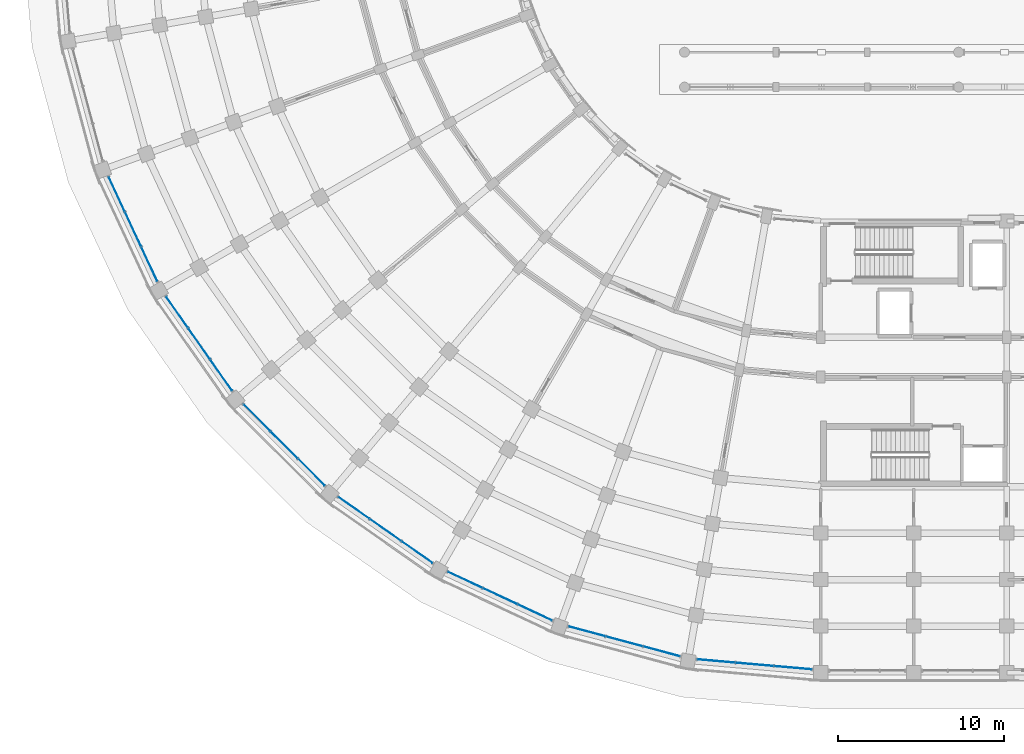
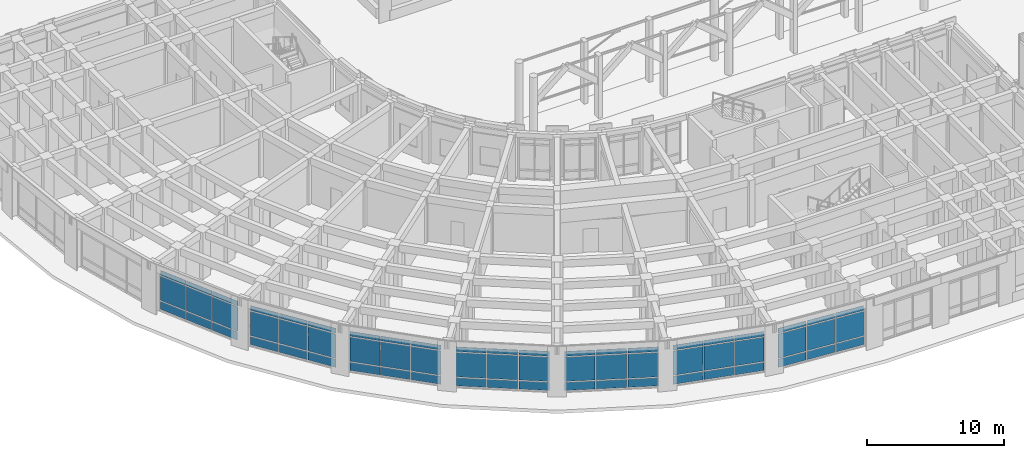
# One storey, part 57 of 135: 63 plates, 7 elements without a shape of their own.
"""IFC4 building model written with IfcOpenShell, lengths in metres."""

from ifc_helpers import new_model, si_unit, direction, frame, origin, origin_2d, place, context, subcontext, project, spatial, rectangle, extrude, material, layer, layer_set, type_object, element, aggregate, save


model = new_model("IFC4")

# Units and contexts
model_context = context("Model", 3, precision=1e-05, world=origin(), true_north=direction((0.0, 1.0)))
body_context = subcontext(model_context, "Body", "Model", "MODEL_VIEW")
ifc_project = project(units=[si_unit("LENGTHUNIT", "METRE"), si_unit("AREAUNIT", "SQUARE_METRE"), si_unit("VOLUMEUNIT", "CUBIC_METRE"), si_unit("PLANEANGLEUNIT", "RADIAN"), si_unit("MASSUNIT", "GRAM", prefix="KILO")], contexts=[model_context])

# Site, building, storey
site_placement = place(None, origin())
site = spatial("IfcSite", under=ifc_project, at=site_placement, CompositionType="ELEMENT")
building_placement = place(site_placement, origin())
building = spatial("IfcBuilding", under=site, at=building_placement, Name="Kiranvali Square Residences", CompositionType="ELEMENT")
storey_placement = place(building_placement, origin())
storey = spatial("IfcBuildingStorey", under=building, at=storey_placement, Name="L00", CompositionType="ELEMENT", Elevation=0.0)

# Curtain wall, plates
ifc_material_1 = material(Name="Anodised bronze aluminium framing", Category="aluminium")
curtain_wall_type = type_object("IfcCurtainWallType", Name="CW-RET-SHOP", PredefinedType="USERDEFINED", material=ifc_material_1)
curtain_wall_1_placement = place(storey_placement, origin())
curtain_wall_1 = element("IfcCurtainWall", 1, at=curtain_wall_1_placement, inside=storey, type_object=curtain_wall_type, Name="Block C L00 rounded-corner arcade curtain wall 1", ObjectType="CURTAIN WALL", PredefinedType="USERDEFINED")
ifc_material_2 = material(Name="Solar-control low-e double glazing", Category="glass")
ifc_layer_1 = layer(ifc_material_2, 0.028076171875)
ifc_layer_set_1 = layer_set([ifc_layer_1], Name="Solar-control low-e double glazing")
plate_type_1 = type_object("IfcPlateType", Name="PLT-CW-GLZ", PredefinedType="CURTAIN_PANEL", material=ifc_layer_set_1)
plate_1_placement = place(storey_placement, frame((46.52978515625, 2.49658203125, 0.89013671875), z_axis=(0.0, 0.0, 1.0), x_axis=(-0.996194698092, 0.087155742748, 0.0)))
plate_1 = element("IfcPlate", 2, at=plate_1_placement, type_object=plate_type_1, Name="CW-C-L00-CRV-00 glazed panel 1.2", PredefinedType="CURTAIN_PANEL", context=body_context, shape_type="SweptSolid", body=[
    extrude(rectangle(XDim=2.239501953125, YDim=0.028076171875, at=origin_2d()), origin(), (0.0, 0.0, 1.0), 2.169921875),
])
plate_2_placement = place(storey_placement, frame((46.52978515625, 2.49658203125, 3.14013671875), z_axis=(0.0, 0.0, 1.0), x_axis=(-0.996194698092, 0.087155742748, 0.0)))
plate_2 = element("IfcPlate", 3, at=plate_2_placement, type_object=plate_type_1, Name="CW-C-L00-CRV-00 glazed panel 1.3", PredefinedType="CURTAIN_PANEL", context=body_context, shape_type="SweptSolid", body=[
    extrude(rectangle(XDim=2.239501953125, YDim=0.028076171875, at=origin_2d()), origin(), (0.0, 0.0, 1.0), 0.429931640625),
])
plate_3_placement = place(storey_placement, frame((44.21923828125, 2.69873046875, 0.89013671875), z_axis=(0.0, 0.0, 1.0), x_axis=(-0.996194698092, 0.087155742748, 0.0)))
plate_3 = element("IfcPlate", 4, at=plate_3_placement, type_object=plate_type_1, Name="CW-C-L00-CRV-00 glazed panel 2.2", PredefinedType="CURTAIN_PANEL", context=body_context, shape_type="SweptSolid", body=[
    extrude(rectangle(XDim=2.239501953125, YDim=0.028076171875, at=origin_2d()), origin(), (0.0, 0.0, 1.0), 2.169921875),
])
plate_4_placement = place(storey_placement, frame((44.21923828125, 2.69873046875, 3.14013671875), z_axis=(0.0, 0.0, 1.0), x_axis=(-0.996194698092, 0.087155742748, 0.0)))
plate_4 = element("IfcPlate", 5, at=plate_4_placement, type_object=plate_type_1, Name="CW-C-L00-CRV-00 glazed panel 2.3", PredefinedType="CURTAIN_PANEL", context=body_context, shape_type="SweptSolid", body=[
    extrude(rectangle(XDim=2.239501953125, YDim=0.028076171875, at=origin_2d()), origin(), (0.0, 0.0, 1.0), 0.429931640625),
])
plate_5_placement = place(storey_placement, frame((41.908447265625, 2.90087890625, 0.89013671875), z_axis=(0.0, 0.0, 1.0), x_axis=(-0.996194698092, 0.087155742748, 0.0)))
plate_5 = element("IfcPlate", 6, at=plate_5_placement, type_object=plate_type_1, Name="CW-C-L00-CRV-00 glazed panel 3.2", PredefinedType="CURTAIN_PANEL", context=body_context, shape_type="SweptSolid", body=[
    extrude(rectangle(XDim=2.239501953125, YDim=0.028076171875, at=origin_2d()), origin(), (0.0, 0.0, 1.0), 2.169921875),
])
plate_6_placement = place(storey_placement, frame((41.908447265625, 2.90087890625, 3.14013671875), z_axis=(0.0, 0.0, 1.0), x_axis=(-0.996194698092, 0.087155742748, 0.0)))
plate_6 = element("IfcPlate", 7, at=plate_6_placement, type_object=plate_type_1, Name="CW-C-L00-CRV-00 glazed panel 3.3", PredefinedType="CURTAIN_PANEL", context=body_context, shape_type="SweptSolid", body=[
    extrude(rectangle(XDim=2.239501953125, YDim=0.028076171875, at=origin_2d()), origin(), (0.0, 0.0, 1.0), 0.429931640625),
])

curtain_wall_2_placement = place(storey_placement, origin())
curtain_wall_2 = element("IfcCurtainWall", 8, at=curtain_wall_2_placement, inside=storey, type_object=curtain_wall_type, Name="Block C L00 rounded-corner arcade curtain wall 2", ObjectType="CURTAIN WALL", PredefinedType="USERDEFINED")
plate_7_placement = place(storey_placement, frame((38.618896484375, 3.48095703125, 0.89013671875), z_axis=(0.0, 0.0, 1.0), x_axis=(-0.965925826289, 0.258819045103, 0.0)))
plate_7 = element("IfcPlate", 9, at=plate_7_placement, type_object=plate_type_1, Name="CW-C-L00-CRV-01 glazed panel 1.2", PredefinedType="CURTAIN_PANEL", context=body_context, shape_type="SweptSolid", body=[
    extrude(rectangle(XDim=2.239501953125, YDim=0.028076171875, at=origin_2d()), origin(), (0.0, 0.0, 1.0), 2.169921875),
])
plate_8_placement = place(storey_placement, frame((38.618896484375, 3.48095703125, 3.14013671875), z_axis=(0.0, 0.0, 1.0), x_axis=(-0.965925826289, 0.258819045103, 0.0)))
plate_8 = element("IfcPlate", 10, at=plate_8_placement, type_object=plate_type_1, Name="CW-C-L00-CRV-01 glazed panel 1.3", PredefinedType="CURTAIN_PANEL", context=body_context, shape_type="SweptSolid", body=[
    extrude(rectangle(XDim=2.239501953125, YDim=0.028076171875, at=origin_2d()), origin(), (0.0, 0.0, 1.0), 0.429931640625),
])
plate_9_placement = place(storey_placement, frame((36.37841796875, 4.081298828125, 0.89013671875), z_axis=(0.0, 0.0, 1.0), x_axis=(-0.965925826289, 0.258819045103, 0.0)))
plate_9 = element("IfcPlate", 11, at=plate_9_placement, type_object=plate_type_1, Name="CW-C-L00-CRV-01 glazed panel 2.2", PredefinedType="CURTAIN_PANEL", context=body_context, shape_type="SweptSolid", body=[
    extrude(rectangle(XDim=2.239501953125, YDim=0.028076171875, at=origin_2d()), origin(), (0.0, 0.0, 1.0), 2.169921875),
])
plate_10_placement = place(storey_placement, frame((36.37841796875, 4.081298828125, 3.14013671875), z_axis=(0.0, 0.0, 1.0), x_axis=(-0.965925826289, 0.258819045103, 0.0)))
plate_10 = element("IfcPlate", 12, at=plate_10_placement, type_object=plate_type_1, Name="CW-C-L00-CRV-01 glazed panel 2.3", PredefinedType="CURTAIN_PANEL", context=body_context, shape_type="SweptSolid", body=[
    extrude(rectangle(XDim=2.239501953125, YDim=0.028076171875, at=origin_2d()), origin(), (0.0, 0.0, 1.0), 0.429931640625),
])
plate_11_placement = place(storey_placement, frame((34.137939453125, 4.681640625, 0.89013671875), z_axis=(0.0, 0.0, 1.0), x_axis=(-0.965925826289, 0.258819045103, 0.0)))
plate_11 = element("IfcPlate", 13, at=plate_11_placement, type_object=plate_type_1, Name="CW-C-L00-CRV-01 glazed panel 3.2", PredefinedType="CURTAIN_PANEL", context=body_context, shape_type="SweptSolid", body=[
    extrude(rectangle(XDim=2.239501953125, YDim=0.028076171875, at=origin_2d()), origin(), (0.0, 0.0, 1.0), 2.169921875),
])
plate_12_placement = place(storey_placement, frame((34.137939453125, 4.681640625, 3.14013671875), z_axis=(0.0, 0.0, 1.0), x_axis=(-0.965925826289, 0.258819045103, 0.0)))
plate_12 = element("IfcPlate", 14, at=plate_12_placement, type_object=plate_type_1, Name="CW-C-L00-CRV-01 glazed panel 3.3", PredefinedType="CURTAIN_PANEL", context=body_context, shape_type="SweptSolid", body=[
    extrude(rectangle(XDim=2.239501953125, YDim=0.028076171875, at=origin_2d()), origin(), (0.0, 0.0, 1.0), 0.429931640625),
])

curtain_wall_3_placement = place(storey_placement, origin())
curtain_wall_3 = element("IfcCurtainWall", 15, at=curtain_wall_3_placement, inside=storey, type_object=curtain_wall_type, Name="Block C L00 rounded-corner arcade curtain wall 3", ObjectType="CURTAIN WALL", PredefinedType="USERDEFINED")
plate_13_placement = place(storey_placement, frame((30.9990234375, 5.82421875, 0.89013671875), z_axis=(0.0, 0.0, 1.0), x_axis=(-0.906307787037, 0.422618261741, 0.0)))
plate_13 = element("IfcPlate", 16, at=plate_13_placement, type_object=plate_type_1, Name="CW-C-L00-CRV-02 glazed panel 1.2", PredefinedType="CURTAIN_PANEL", context=body_context, shape_type="SweptSolid", body=[
    extrude(rectangle(XDim=2.239501953125, YDim=0.028076171875, at=origin_2d()), origin(), (0.0, 0.0, 1.0), 2.169921875),
])
plate_14_placement = place(storey_placement, frame((30.9990234375, 5.82421875, 3.14013671875), z_axis=(0.0, 0.0, 1.0), x_axis=(-0.906307787037, 0.422618261741, 0.0)))
plate_14 = element("IfcPlate", 17, at=plate_14_placement, type_object=plate_type_1, Name="CW-C-L00-CRV-02 glazed panel 1.3", PredefinedType="CURTAIN_PANEL", context=body_context, shape_type="SweptSolid", body=[
    extrude(rectangle(XDim=2.239501953125, YDim=0.028076171875, at=origin_2d()), origin(), (0.0, 0.0, 1.0), 0.429931640625),
])
plate_15_placement = place(storey_placement, frame((28.89697265625, 6.804443359375, 0.89013671875), z_axis=(0.0, 0.0, 1.0), x_axis=(-0.906307787037, 0.422618261741, 0.0)))
plate_15 = element("IfcPlate", 18, at=plate_15_placement, type_object=plate_type_1, Name="CW-C-L00-CRV-02 glazed panel 2.2", PredefinedType="CURTAIN_PANEL", context=body_context, shape_type="SweptSolid", body=[
    extrude(rectangle(XDim=2.239501953125, YDim=0.028076171875, at=origin_2d()), origin(), (0.0, 0.0, 1.0), 2.169921875),
])
plate_16_placement = place(storey_placement, frame((28.89697265625, 6.804443359375, 3.14013671875), z_axis=(0.0, 0.0, 1.0), x_axis=(-0.906307787037, 0.422618261741, 0.0)))
plate_16 = element("IfcPlate", 19, at=plate_16_placement, type_object=plate_type_1, Name="CW-C-L00-CRV-02 glazed panel 2.3", PredefinedType="CURTAIN_PANEL", context=body_context, shape_type="SweptSolid", body=[
    extrude(rectangle(XDim=2.239501953125, YDim=0.028076171875, at=origin_2d()), origin(), (0.0, 0.0, 1.0), 0.429931640625),
])
plate_17_placement = place(storey_placement, frame((26.794921875, 7.78466796875, 0.89013671875), z_axis=(0.0, 0.0, 1.0), x_axis=(-0.906307787037, 0.422618261741, 0.0)))
plate_17 = element("IfcPlate", 20, at=plate_17_placement, type_object=plate_type_1, Name="CW-C-L00-CRV-02 glazed panel 3.2", PredefinedType="CURTAIN_PANEL", context=body_context, shape_type="SweptSolid", body=[
    extrude(rectangle(XDim=2.239501953125, YDim=0.028076171875, at=origin_2d()), origin(), (0.0, 0.0, 1.0), 2.169921875),
])
plate_18_placement = place(storey_placement, frame((26.794921875, 7.78466796875, 3.14013671875), z_axis=(0.0, 0.0, 1.0), x_axis=(-0.906307787037, 0.422618261741, 0.0)))
plate_18 = element("IfcPlate", 21, at=plate_18_placement, type_object=plate_type_1, Name="CW-C-L00-CRV-02 glazed panel 3.3", PredefinedType="CURTAIN_PANEL", context=body_context, shape_type="SweptSolid", body=[
    extrude(rectangle(XDim=2.239501953125, YDim=0.028076171875, at=origin_2d()), origin(), (0.0, 0.0, 1.0), 0.429931640625),
])

curtain_wall_4_placement = place(storey_placement, origin())
curtain_wall_4 = element("IfcCurtainWall", 22, at=curtain_wall_4_placement, inside=storey, type_object=curtain_wall_type, Name="Block C L00 rounded-corner arcade curtain wall 4", ObjectType="CURTAIN WALL", PredefinedType="USERDEFINED")
plate_19_placement = place(storey_placement, frame((23.90185546875, 9.454833984375, 0.89013671875), z_axis=(0.0, 0.0, 1.0), x_axis=(-0.819152044289, 0.573576436351, 0.0)))
plate_19 = element("IfcPlate", 23, at=plate_19_placement, type_object=plate_type_1, Name="CW-C-L00-CRV-03 glazed panel 1.2", PredefinedType="CURTAIN_PANEL", context=body_context, shape_type="SweptSolid", body=[
    extrude(rectangle(XDim=2.239501953125, YDim=0.028076171875, at=origin_2d()), origin(), (0.0, 0.0, 1.0), 2.169921875),
])
plate_20_placement = place(storey_placement, frame((23.90185546875, 9.454833984375, 3.14013671875), z_axis=(0.0, 0.0, 1.0), x_axis=(-0.819152044289, 0.573576436351, 0.0)))
plate_20 = element("IfcPlate", 24, at=plate_20_placement, type_object=plate_type_1, Name="CW-C-L00-CRV-03 glazed panel 1.3", PredefinedType="CURTAIN_PANEL", context=body_context, shape_type="SweptSolid", body=[
    extrude(rectangle(XDim=2.239501953125, YDim=0.028076171875, at=origin_2d()), origin(), (0.0, 0.0, 1.0), 0.429931640625),
])
plate_21_placement = place(storey_placement, frame((22.001953125, 10.78515625, 0.89013671875), z_axis=(0.0, 0.0, 1.0), x_axis=(-0.819152044289, 0.573576436351, 0.0)))
plate_21 = element("IfcPlate", 25, at=plate_21_placement, type_object=plate_type_1, Name="CW-C-L00-CRV-03 glazed panel 2.2", PredefinedType="CURTAIN_PANEL", context=body_context, shape_type="SweptSolid", body=[
    extrude(rectangle(XDim=2.239501953125, YDim=0.028076171875, at=origin_2d()), origin(), (0.0, 0.0, 1.0), 2.169921875),
])
plate_22_placement = place(storey_placement, frame((22.001953125, 10.78515625, 3.14013671875), z_axis=(0.0, 0.0, 1.0), x_axis=(-0.819152044289, 0.573576436351, 0.0)))
plate_22 = element("IfcPlate", 26, at=plate_22_placement, type_object=plate_type_1, Name="CW-C-L00-CRV-03 glazed panel 2.3", PredefinedType="CURTAIN_PANEL", context=body_context, shape_type="SweptSolid", body=[
    extrude(rectangle(XDim=2.239501953125, YDim=0.028076171875, at=origin_2d()), origin(), (0.0, 0.0, 1.0), 0.429931640625),
])
plate_23_placement = place(storey_placement, frame((20.10205078125, 12.11572265625, 0.89013671875), z_axis=(0.0, 0.0, 1.0), x_axis=(-0.819152044289, 0.573576436351, 0.0)))
plate_23 = element("IfcPlate", 27, at=plate_23_placement, type_object=plate_type_1, Name="CW-C-L00-CRV-03 glazed panel 3.2", PredefinedType="CURTAIN_PANEL", context=body_context, shape_type="SweptSolid", body=[
    extrude(rectangle(XDim=2.239501953125, YDim=0.028076171875, at=origin_2d()), origin(), (0.0, 0.0, 1.0), 2.169921875),
])
plate_24_placement = place(storey_placement, frame((20.10205078125, 12.11572265625, 3.14013671875), z_axis=(0.0, 0.0, 1.0), x_axis=(-0.819152044289, 0.573576436351, 0.0)))
plate_24 = element("IfcPlate", 28, at=plate_24_placement, type_object=plate_type_1, Name="CW-C-L00-CRV-03 glazed panel 3.3", PredefinedType="CURTAIN_PANEL", context=body_context, shape_type="SweptSolid", body=[
    extrude(rectangle(XDim=2.239501953125, YDim=0.028076171875, at=origin_2d()), origin(), (0.0, 0.0, 1.0), 0.429931640625),
])

curtain_wall_5_placement = place(storey_placement, origin())
curtain_wall_5 = element("IfcCurtainWall", 29, at=curtain_wall_5_placement, inside=storey, type_object=curtain_wall_type, Name="Block C L00 rounded-corner arcade curtain wall 5", ObjectType="CURTAIN WALL", PredefinedType="USERDEFINED")
plate_25_placement = place(storey_placement, frame((17.54296875, 14.262939453125, 0.89013671875), z_axis=(0.0, 0.0, 1.0), x_axis=(-0.707106781187, 0.707106781187, 0.0)))
plate_25 = element("IfcPlate", 30, at=plate_25_placement, type_object=plate_type_1, Name="CW-C-L00-CRV-04 glazed panel 1.2", PredefinedType="CURTAIN_PANEL", context=body_context, shape_type="SweptSolid", body=[
    extrude(rectangle(XDim=2.239501953125, YDim=0.028076171875, at=origin_2d()), origin(), (0.0, 0.0, 1.0), 2.169921875),
])
plate_26_placement = place(storey_placement, frame((17.54296875, 14.262939453125, 3.14013671875), z_axis=(0.0, 0.0, 1.0), x_axis=(-0.707106781187, 0.707106781187, 0.0)))
plate_26 = element("IfcPlate", 31, at=plate_26_placement, type_object=plate_type_1, Name="CW-C-L00-CRV-04 glazed panel 1.3", PredefinedType="CURTAIN_PANEL", context=body_context, shape_type="SweptSolid", body=[
    extrude(rectangle(XDim=2.239501953125, YDim=0.028076171875, at=origin_2d()), origin(), (0.0, 0.0, 1.0), 0.429931640625),
])
plate_27_placement = place(storey_placement, frame((15.90283203125, 15.90283203125, 0.89013671875), z_axis=(0.0, 0.0, 1.0), x_axis=(-0.707106781187, 0.707106781187, 0.0)))
plate_27 = element("IfcPlate", 32, at=plate_27_placement, type_object=plate_type_1, Name="CW-C-L00-CRV-04 glazed panel 2.2", PredefinedType="CURTAIN_PANEL", context=body_context, shape_type="SweptSolid", body=[
    extrude(rectangle(XDim=2.239501953125, YDim=0.028076171875, at=origin_2d()), origin(), (0.0, 0.0, 1.0), 2.169921875),
])
plate_28_placement = place(storey_placement, frame((15.90283203125, 15.90283203125, 3.14013671875), z_axis=(0.0, 0.0, 1.0), x_axis=(-0.707106781187, 0.707106781187, 0.0)))
plate_28 = element("IfcPlate", 33, at=plate_28_placement, type_object=plate_type_1, Name="CW-C-L00-CRV-04 glazed panel 2.3", PredefinedType="CURTAIN_PANEL", context=body_context, shape_type="SweptSolid", body=[
    extrude(rectangle(XDim=2.239501953125, YDim=0.028076171875, at=origin_2d()), origin(), (0.0, 0.0, 1.0), 0.429931640625),
])
plate_29_placement = place(storey_placement, frame((14.262939453125, 17.54296875, 0.89013671875), z_axis=(0.0, 0.0, 1.0), x_axis=(-0.707106781187, 0.707106781187, 0.0)))
plate_29 = element("IfcPlate", 34, at=plate_29_placement, type_object=plate_type_1, Name="CW-C-L00-CRV-04 glazed panel 3.2", PredefinedType="CURTAIN_PANEL", context=body_context, shape_type="SweptSolid", body=[
    extrude(rectangle(XDim=2.239501953125, YDim=0.028076171875, at=origin_2d()), origin(), (0.0, 0.0, 1.0), 2.169921875),
])
plate_30_placement = place(storey_placement, frame((14.262939453125, 17.54296875, 3.14013671875), z_axis=(0.0, 0.0, 1.0), x_axis=(-0.707106781187, 0.707106781187, 0.0)))
plate_30 = element("IfcPlate", 35, at=plate_30_placement, type_object=plate_type_1, Name="CW-C-L00-CRV-04 glazed panel 3.3", PredefinedType="CURTAIN_PANEL", context=body_context, shape_type="SweptSolid", body=[
    extrude(rectangle(XDim=2.239501953125, YDim=0.028076171875, at=origin_2d()), origin(), (0.0, 0.0, 1.0), 0.429931640625),
])

curtain_wall_6_placement = place(storey_placement, origin())
curtain_wall_6 = element("IfcCurtainWall", 36, at=curtain_wall_6_placement, inside=storey, type_object=curtain_wall_type, Name="Block C L00 rounded-corner arcade curtain wall 6", ObjectType="CURTAIN WALL", PredefinedType="USERDEFINED")
plate_31_placement = place(storey_placement, frame((12.11572265625, 20.10205078125, 0.89013671875), z_axis=(0.0, 0.0, 1.0), x_axis=(-0.573576436351, 0.819152044289, 0.0)))
plate_31 = element("IfcPlate", 37, at=plate_31_placement, type_object=plate_type_1, Name="CW-C-L00-CRV-05 glazed panel 1.2", PredefinedType="CURTAIN_PANEL", context=body_context, shape_type="SweptSolid", body=[
    extrude(rectangle(XDim=2.239501953125, YDim=0.028076171875, at=origin_2d()), origin(), (0.0, 0.0, 1.0), 2.169921875),
])
plate_32_placement = place(storey_placement, frame((12.11572265625, 20.10205078125, 3.14013671875), z_axis=(0.0, 0.0, 1.0), x_axis=(-0.573576436351, 0.819152044289, 0.0)))
plate_32 = element("IfcPlate", 38, at=plate_32_placement, type_object=plate_type_1, Name="CW-C-L00-CRV-05 glazed panel 1.3", PredefinedType="CURTAIN_PANEL", context=body_context, shape_type="SweptSolid", body=[
    extrude(rectangle(XDim=2.239501953125, YDim=0.028076171875, at=origin_2d()), origin(), (0.0, 0.0, 1.0), 0.429931640625),
])
plate_33_placement = place(storey_placement, frame((10.78515625, 22.001953125, 0.89013671875), z_axis=(0.0, 0.0, 1.0), x_axis=(-0.573576436351, 0.819152044289, 0.0)))
plate_33 = element("IfcPlate", 39, at=plate_33_placement, type_object=plate_type_1, Name="CW-C-L00-CRV-05 glazed panel 2.2", PredefinedType="CURTAIN_PANEL", context=body_context, shape_type="SweptSolid", body=[
    extrude(rectangle(XDim=2.239501953125, YDim=0.028076171875, at=origin_2d()), origin(), (0.0, 0.0, 1.0), 2.169921875),
])
plate_34_placement = place(storey_placement, frame((10.78515625, 22.001953125, 3.14013671875), z_axis=(0.0, 0.0, 1.0), x_axis=(-0.573576436351, 0.819152044289, 0.0)))
plate_34 = element("IfcPlate", 40, at=plate_34_placement, type_object=plate_type_1, Name="CW-C-L00-CRV-05 glazed panel 2.3", PredefinedType="CURTAIN_PANEL", context=body_context, shape_type="SweptSolid", body=[
    extrude(rectangle(XDim=2.239501953125, YDim=0.028076171875, at=origin_2d()), origin(), (0.0, 0.0, 1.0), 0.429931640625),
])
plate_35_placement = place(storey_placement, frame((9.454833984375, 23.90185546875, 0.89013671875), z_axis=(0.0, 0.0, 1.0), x_axis=(-0.573576436351, 0.819152044289, 0.0)))
plate_35 = element("IfcPlate", 41, at=plate_35_placement, type_object=plate_type_1, Name="CW-C-L00-CRV-05 glazed panel 3.2", PredefinedType="CURTAIN_PANEL", context=body_context, shape_type="SweptSolid", body=[
    extrude(rectangle(XDim=2.239501953125, YDim=0.028076171875, at=origin_2d()), origin(), (0.0, 0.0, 1.0), 2.169921875),
])
plate_36_placement = place(storey_placement, frame((9.454833984375, 23.90185546875, 3.14013671875), z_axis=(0.0, 0.0, 1.0), x_axis=(-0.573576436351, 0.819152044289, 0.0)))
plate_36 = element("IfcPlate", 42, at=plate_36_placement, type_object=plate_type_1, Name="CW-C-L00-CRV-05 glazed panel 3.3", PredefinedType="CURTAIN_PANEL", context=body_context, shape_type="SweptSolid", body=[
    extrude(rectangle(XDim=2.239501953125, YDim=0.028076171875, at=origin_2d()), origin(), (0.0, 0.0, 1.0), 0.429931640625),
])

curtain_wall_7_placement = place(storey_placement, origin())
curtain_wall_7 = element("IfcCurtainWall", 43, at=curtain_wall_7_placement, inside=storey, type_object=curtain_wall_type, Name="Block C L00 rounded-corner arcade curtain wall 7", ObjectType="CURTAIN WALL", PredefinedType="USERDEFINED")
plate_37_placement = place(storey_placement, frame((7.78466796875, 26.794921875, 0.89013671875), z_axis=(0.0, 0.0, 1.0), x_axis=(-0.422618261741, 0.906307787037, 0.0)))
plate_37 = element("IfcPlate", 44, at=plate_37_placement, type_object=plate_type_1, Name="CW-C-L00-CRV-06 glazed panel 1.2", PredefinedType="CURTAIN_PANEL", context=body_context, shape_type="SweptSolid", body=[
    extrude(rectangle(XDim=2.239501953125, YDim=0.028076171875, at=origin_2d()), origin(), (0.0, 0.0, 1.0), 2.169921875),
])
plate_38_placement = place(storey_placement, frame((7.78466796875, 26.794921875, 3.14013671875), z_axis=(0.0, 0.0, 1.0), x_axis=(-0.422618261741, 0.906307787037, 0.0)))
plate_38 = element("IfcPlate", 45, at=plate_38_placement, type_object=plate_type_1, Name="CW-C-L00-CRV-06 glazed panel 1.3", PredefinedType="CURTAIN_PANEL", context=body_context, shape_type="SweptSolid", body=[
    extrude(rectangle(XDim=2.239501953125, YDim=0.028076171875, at=origin_2d()), origin(), (0.0, 0.0, 1.0), 0.429931640625),
])
plate_39_placement = place(storey_placement, frame((6.804443359375, 28.89697265625, 0.89013671875), z_axis=(0.0, 0.0, 1.0), x_axis=(-0.422618261741, 0.906307787037, 0.0)))
plate_39 = element("IfcPlate", 46, at=plate_39_placement, type_object=plate_type_1, Name="CW-C-L00-CRV-06 glazed panel 2.2", PredefinedType="CURTAIN_PANEL", context=body_context, shape_type="SweptSolid", body=[
    extrude(rectangle(XDim=2.239501953125, YDim=0.028076171875, at=origin_2d()), origin(), (0.0, 0.0, 1.0), 2.169921875),
])
plate_40_placement = place(storey_placement, frame((6.804443359375, 28.89697265625, 3.14013671875), z_axis=(0.0, 0.0, 1.0), x_axis=(-0.422618261741, 0.906307787037, 0.0)))
plate_40 = element("IfcPlate", 47, at=plate_40_placement, type_object=plate_type_1, Name="CW-C-L00-CRV-06 glazed panel 2.3", PredefinedType="CURTAIN_PANEL", context=body_context, shape_type="SweptSolid", body=[
    extrude(rectangle(XDim=2.239501953125, YDim=0.028076171875, at=origin_2d()), origin(), (0.0, 0.0, 1.0), 0.429931640625),
])
plate_41_placement = place(storey_placement, frame((5.82421875, 30.9990234375, 0.89013671875), z_axis=(0.0, 0.0, 1.0), x_axis=(-0.422618261741, 0.906307787037, 0.0)))
plate_41 = element("IfcPlate", 48, at=plate_41_placement, type_object=plate_type_1, Name="CW-C-L00-CRV-06 glazed panel 3.2", PredefinedType="CURTAIN_PANEL", context=body_context, shape_type="SweptSolid", body=[
    extrude(rectangle(XDim=2.239501953125, YDim=0.028076171875, at=origin_2d()), origin(), (0.0, 0.0, 1.0), 2.169921875),
])
plate_42_placement = place(storey_placement, frame((5.82421875, 30.9990234375, 3.14013671875), z_axis=(0.0, 0.0, 1.0), x_axis=(-0.422618261741, 0.906307787037, 0.0)))
plate_42 = element("IfcPlate", 49, at=plate_42_placement, type_object=plate_type_1, Name="CW-C-L00-CRV-06 glazed panel 3.3", PredefinedType="CURTAIN_PANEL", context=body_context, shape_type="SweptSolid", body=[
    extrude(rectangle(XDim=2.239501953125, YDim=0.028076171875, at=origin_2d()), origin(), (0.0, 0.0, 1.0), 0.429931640625),
])

# Plate
ifc_material_3 = material(Name="Honed Porbandar limestone ashlar facade cladding", Category="masonry")
ifc_layer_2 = layer(ifc_material_3, 0.02392578125)
ifc_layer_set_2 = layer_set([ifc_layer_2], Name="Honed Porbandar limestone ashlar facade cladding")
plate_type_2 = type_object("IfcPlateType", Name="PLT-CW-SPN", PredefinedType="SHEET", material=ifc_layer_set_2)
plate_43_placement = place(storey_placement, frame((46.52978515625, 2.49658203125, 0.080078125), z_axis=(0.0, 0.0, 1.0), x_axis=(-0.996194698092, 0.087155742748, 0.0)))
plate_43 = element("IfcPlate", 50, at=plate_43_placement, type_object=plate_type_2, Name="CW-C-L00-CRV-00 spandrel panel 1.1", PredefinedType="SHEET", context=body_context, shape_type="SweptSolid", body=[
    extrude(rectangle(XDim=2.239501953125, YDim=0.02392578125, at=origin_2d()), origin(), (0.0, 0.0, 1.0), 0.72998046875),
])

plate_44_placement = place(storey_placement, frame((44.21923828125, 2.69873046875, 0.080078125), z_axis=(0.0, 0.0, 1.0), x_axis=(-0.996194698092, 0.087155742748, 0.0)))
plate_44 = element("IfcPlate", 51, at=plate_44_placement, type_object=plate_type_2, Name="CW-C-L00-CRV-00 spandrel panel 2.1", PredefinedType="SHEET", context=body_context, shape_type="SweptSolid", body=[
    extrude(rectangle(XDim=2.239501953125, YDim=0.02392578125, at=origin_2d()), origin(), (0.0, 0.0, 1.0), 0.72998046875),
])

plate_45_placement = place(storey_placement, frame((41.908447265625, 2.90087890625, 0.080078125), z_axis=(0.0, 0.0, 1.0), x_axis=(-0.996194698092, 0.087155742748, 0.0)))
plate_45 = element("IfcPlate", 52, at=plate_45_placement, type_object=plate_type_2, Name="CW-C-L00-CRV-00 spandrel panel 3.1", PredefinedType="SHEET", context=body_context, shape_type="SweptSolid", body=[
    extrude(rectangle(XDim=2.239501953125, YDim=0.02392578125, at=origin_2d()), origin(), (0.0, 0.0, 1.0), 0.72998046875),
])

aggregate(curtain_wall_1, [plate_43, plate_1, plate_2, plate_44, plate_3, plate_4, plate_45, plate_5, plate_6])

plate_46_placement = place(storey_placement, frame((38.618896484375, 3.48095703125, 0.080078125), z_axis=(0.0, 0.0, 1.0), x_axis=(-0.965925826289, 0.258819045103, 0.0)))
plate_46 = element("IfcPlate", 53, at=plate_46_placement, type_object=plate_type_2, Name="CW-C-L00-CRV-01 spandrel panel 1.1", PredefinedType="SHEET", context=body_context, shape_type="SweptSolid", body=[
    extrude(rectangle(XDim=2.239501953125, YDim=0.02392578125, at=origin_2d()), origin(), (0.0, 0.0, 1.0), 0.72998046875),
])

plate_47_placement = place(storey_placement, frame((36.37841796875, 4.081298828125, 0.080078125), z_axis=(0.0, 0.0, 1.0), x_axis=(-0.965925826289, 0.258819045103, 0.0)))
plate_47 = element("IfcPlate", 54, at=plate_47_placement, type_object=plate_type_2, Name="CW-C-L00-CRV-01 spandrel panel 2.1", PredefinedType="SHEET", context=body_context, shape_type="SweptSolid", body=[
    extrude(rectangle(XDim=2.239501953125, YDim=0.02392578125, at=origin_2d()), origin(), (0.0, 0.0, 1.0), 0.72998046875),
])

plate_48_placement = place(storey_placement, frame((34.137939453125, 4.681640625, 0.080078125), z_axis=(0.0, 0.0, 1.0), x_axis=(-0.965925826289, 0.258819045103, 0.0)))
plate_48 = element("IfcPlate", 55, at=plate_48_placement, type_object=plate_type_2, Name="CW-C-L00-CRV-01 spandrel panel 3.1", PredefinedType="SHEET", context=body_context, shape_type="SweptSolid", body=[
    extrude(rectangle(XDim=2.239501953125, YDim=0.02392578125, at=origin_2d()), origin(), (0.0, 0.0, 1.0), 0.72998046875),
])

aggregate(curtain_wall_2, [plate_46, plate_7, plate_8, plate_47, plate_9, plate_10, plate_48, plate_11, plate_12])

plate_49_placement = place(storey_placement, frame((30.9990234375, 5.82421875, 0.080078125), z_axis=(0.0, 0.0, 1.0), x_axis=(-0.906307787037, 0.422618261741, 0.0)))
plate_49 = element("IfcPlate", 56, at=plate_49_placement, type_object=plate_type_2, Name="CW-C-L00-CRV-02 spandrel panel 1.1", PredefinedType="SHEET", context=body_context, shape_type="SweptSolid", body=[
    extrude(rectangle(XDim=2.239501953125, YDim=0.02392578125, at=origin_2d()), origin(), (0.0, 0.0, 1.0), 0.72998046875),
])

plate_50_placement = place(storey_placement, frame((28.89697265625, 6.804443359375, 0.080078125), z_axis=(0.0, 0.0, 1.0), x_axis=(-0.906307787037, 0.422618261741, 0.0)))
plate_50 = element("IfcPlate", 57, at=plate_50_placement, type_object=plate_type_2, Name="CW-C-L00-CRV-02 spandrel panel 2.1", PredefinedType="SHEET", context=body_context, shape_type="SweptSolid", body=[
    extrude(rectangle(XDim=2.239501953125, YDim=0.02392578125, at=origin_2d()), origin(), (0.0, 0.0, 1.0), 0.72998046875),
])

plate_51_placement = place(storey_placement, frame((26.794921875, 7.78466796875, 0.080078125), z_axis=(0.0, 0.0, 1.0), x_axis=(-0.906307787037, 0.422618261741, 0.0)))
plate_51 = element("IfcPlate", 58, at=plate_51_placement, type_object=plate_type_2, Name="CW-C-L00-CRV-02 spandrel panel 3.1", PredefinedType="SHEET", context=body_context, shape_type="SweptSolid", body=[
    extrude(rectangle(XDim=2.239501953125, YDim=0.02392578125, at=origin_2d()), origin(), (0.0, 0.0, 1.0), 0.72998046875),
])

aggregate(curtain_wall_3, [plate_49, plate_13, plate_14, plate_50, plate_15, plate_16, plate_51, plate_17, plate_18])

plate_52_placement = place(storey_placement, frame((23.90185546875, 9.454833984375, 0.080078125), z_axis=(0.0, 0.0, 1.0), x_axis=(-0.819152044289, 0.573576436351, 0.0)))
plate_52 = element("IfcPlate", 59, at=plate_52_placement, type_object=plate_type_2, Name="CW-C-L00-CRV-03 spandrel panel 1.1", PredefinedType="SHEET", context=body_context, shape_type="SweptSolid", body=[
    extrude(rectangle(XDim=2.239501953125, YDim=0.02392578125, at=origin_2d()), origin(), (0.0, 0.0, 1.0), 0.72998046875),
])

plate_53_placement = place(storey_placement, frame((22.001953125, 10.78515625, 0.080078125), z_axis=(0.0, 0.0, 1.0), x_axis=(-0.819152044289, 0.573576436351, 0.0)))
plate_53 = element("IfcPlate", 60, at=plate_53_placement, type_object=plate_type_2, Name="CW-C-L00-CRV-03 spandrel panel 2.1", PredefinedType="SHEET", context=body_context, shape_type="SweptSolid", body=[
    extrude(rectangle(XDim=2.239501953125, YDim=0.02392578125, at=origin_2d()), origin(), (0.0, 0.0, 1.0), 0.72998046875),
])

plate_54_placement = place(storey_placement, frame((20.10205078125, 12.11572265625, 0.080078125), z_axis=(0.0, 0.0, 1.0), x_axis=(-0.819152044289, 0.573576436351, 0.0)))
plate_54 = element("IfcPlate", 61, at=plate_54_placement, type_object=plate_type_2, Name="CW-C-L00-CRV-03 spandrel panel 3.1", PredefinedType="SHEET", context=body_context, shape_type="SweptSolid", body=[
    extrude(rectangle(XDim=2.239501953125, YDim=0.02392578125, at=origin_2d()), origin(), (0.0, 0.0, 1.0), 0.72998046875),
])

aggregate(curtain_wall_4, [plate_52, plate_19, plate_20, plate_53, plate_21, plate_22, plate_54, plate_23, plate_24])

plate_55_placement = place(storey_placement, frame((17.54296875, 14.262939453125, 0.080078125), z_axis=(0.0, 0.0, 1.0), x_axis=(-0.707106781187, 0.707106781187, 0.0)))
plate_55 = element("IfcPlate", 62, at=plate_55_placement, type_object=plate_type_2, Name="CW-C-L00-CRV-04 spandrel panel 1.1", PredefinedType="SHEET", context=body_context, shape_type="SweptSolid", body=[
    extrude(rectangle(XDim=2.239501953125, YDim=0.02392578125, at=origin_2d()), origin(), (0.0, 0.0, 1.0), 0.72998046875),
])

plate_56_placement = place(storey_placement, frame((15.90283203125, 15.90283203125, 0.080078125), z_axis=(0.0, 0.0, 1.0), x_axis=(-0.707106781187, 0.707106781187, 0.0)))
plate_56 = element("IfcPlate", 63, at=plate_56_placement, type_object=plate_type_2, Name="CW-C-L00-CRV-04 spandrel panel 2.1", PredefinedType="SHEET", context=body_context, shape_type="SweptSolid", body=[
    extrude(rectangle(XDim=2.239501953125, YDim=0.02392578125, at=origin_2d()), origin(), (0.0, 0.0, 1.0), 0.72998046875),
])

plate_57_placement = place(storey_placement, frame((14.262939453125, 17.54296875, 0.080078125), z_axis=(0.0, 0.0, 1.0), x_axis=(-0.707106781187, 0.707106781187, 0.0)))
plate_57 = element("IfcPlate", 64, at=plate_57_placement, type_object=plate_type_2, Name="CW-C-L00-CRV-04 spandrel panel 3.1", PredefinedType="SHEET", context=body_context, shape_type="SweptSolid", body=[
    extrude(rectangle(XDim=2.239501953125, YDim=0.02392578125, at=origin_2d()), origin(), (0.0, 0.0, 1.0), 0.72998046875),
])

aggregate(curtain_wall_5, [plate_55, plate_25, plate_26, plate_56, plate_27, plate_28, plate_57, plate_29, plate_30])

plate_58_placement = place(storey_placement, frame((12.11572265625, 20.10205078125, 0.080078125), z_axis=(0.0, 0.0, 1.0), x_axis=(-0.573576436351, 0.819152044289, 0.0)))
plate_58 = element("IfcPlate", 65, at=plate_58_placement, type_object=plate_type_2, Name="CW-C-L00-CRV-05 spandrel panel 1.1", PredefinedType="SHEET", context=body_context, shape_type="SweptSolid", body=[
    extrude(rectangle(XDim=2.239501953125, YDim=0.02392578125, at=origin_2d()), origin(), (0.0, 0.0, 1.0), 0.72998046875),
])

plate_59_placement = place(storey_placement, frame((10.78515625, 22.001953125, 0.080078125), z_axis=(0.0, 0.0, 1.0), x_axis=(-0.573576436351, 0.819152044289, 0.0)))
plate_59 = element("IfcPlate", 66, at=plate_59_placement, type_object=plate_type_2, Name="CW-C-L00-CRV-05 spandrel panel 2.1", PredefinedType="SHEET", context=body_context, shape_type="SweptSolid", body=[
    extrude(rectangle(XDim=2.239501953125, YDim=0.02392578125, at=origin_2d()), origin(), (0.0, 0.0, 1.0), 0.72998046875),
])

plate_60_placement = place(storey_placement, frame((9.454833984375, 23.90185546875, 0.080078125), z_axis=(0.0, 0.0, 1.0), x_axis=(-0.573576436351, 0.819152044289, 0.0)))
plate_60 = element("IfcPlate", 67, at=plate_60_placement, type_object=plate_type_2, Name="CW-C-L00-CRV-05 spandrel panel 3.1", PredefinedType="SHEET", context=body_context, shape_type="SweptSolid", body=[
    extrude(rectangle(XDim=2.239501953125, YDim=0.02392578125, at=origin_2d()), origin(), (0.0, 0.0, 1.0), 0.72998046875),
])

aggregate(curtain_wall_6, [plate_58, plate_31, plate_32, plate_59, plate_33, plate_34, plate_60, plate_35, plate_36])

plate_61_placement = place(storey_placement, frame((7.78466796875, 26.794921875, 0.080078125), z_axis=(0.0, 0.0, 1.0), x_axis=(-0.422618261741, 0.906307787037, 0.0)))
plate_61 = element("IfcPlate", 68, at=plate_61_placement, type_object=plate_type_2, Name="CW-C-L00-CRV-06 spandrel panel 1.1", PredefinedType="SHEET", context=body_context, shape_type="SweptSolid", body=[
    extrude(rectangle(XDim=2.239501953125, YDim=0.02392578125, at=origin_2d()), origin(), (0.0, 0.0, 1.0), 0.72998046875),
])

plate_62_placement = place(storey_placement, frame((6.804443359375, 28.89697265625, 0.080078125), z_axis=(0.0, 0.0, 1.0), x_axis=(-0.422618261741, 0.906307787037, 0.0)))
plate_62 = element("IfcPlate", 69, at=plate_62_placement, type_object=plate_type_2, Name="CW-C-L00-CRV-06 spandrel panel 2.1", PredefinedType="SHEET", context=body_context, shape_type="SweptSolid", body=[
    extrude(rectangle(XDim=2.239501953125, YDim=0.02392578125, at=origin_2d()), origin(), (0.0, 0.0, 1.0), 0.72998046875),
])

plate_63_placement = place(storey_placement, frame((5.82421875, 30.9990234375, 0.080078125), z_axis=(0.0, 0.0, 1.0), x_axis=(-0.422618261741, 0.906307787037, 0.0)))
plate_63 = element("IfcPlate", 70, at=plate_63_placement, type_object=plate_type_2, Name="CW-C-L00-CRV-06 spandrel panel 3.1", PredefinedType="SHEET", context=body_context, shape_type="SweptSolid", body=[
    extrude(rectangle(XDim=2.239501953125, YDim=0.02392578125, at=origin_2d()), origin(), (0.0, 0.0, 1.0), 0.72998046875),
])

aggregate(curtain_wall_7, [plate_61, plate_37, plate_38, plate_62, plate_39, plate_40, plate_63, plate_41, plate_42])

save(model, "model.ifc")
